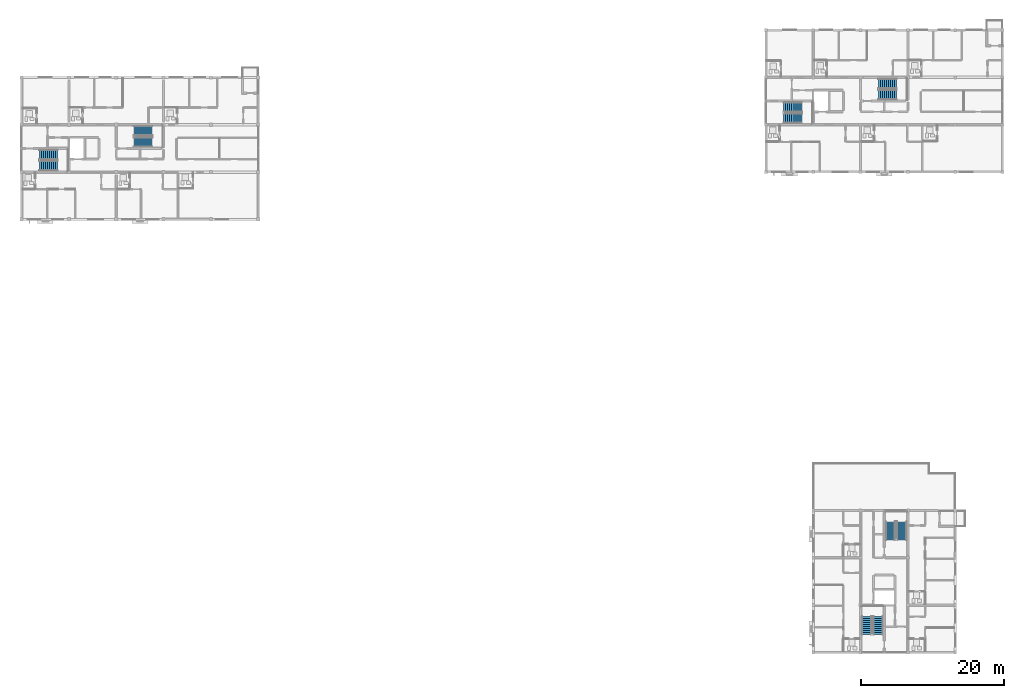
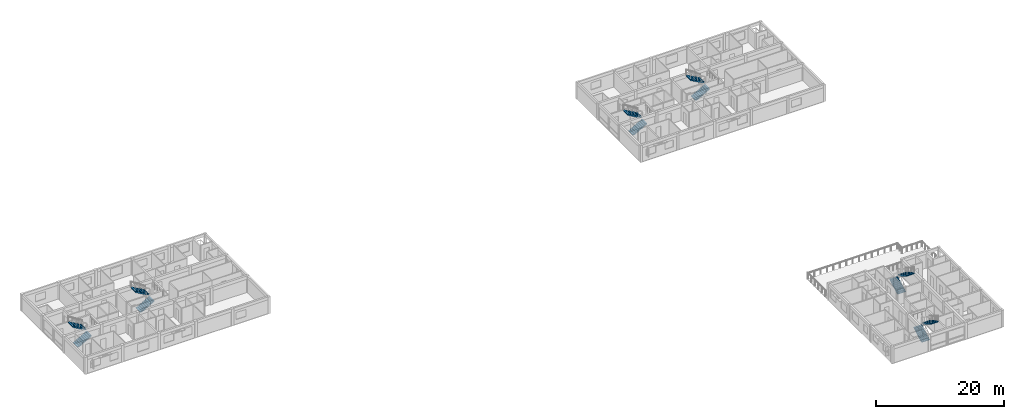
# One storey, part 28 of 37: 12 stair flights, 6 elements without a shape of their own.
"""IFC4 building model written with IfcOpenShell, lengths in metres."""

from ifc_helpers import new_model, si_unit, direction, frame, origin, place, context, subcontext, project, spatial, polyline, outline, extrude, material, type_object, element, aggregate, save


model = new_model("IFC4")

# Units and contexts
model_context = context("Model", 3, precision=1e-05, world=origin(), true_north=direction((0.0, 1.0)))
body_context = subcontext(model_context, "Body", "Model", "MODEL_VIEW")
ifc_project = project(units=[si_unit("LENGTHUNIT", "METRE"), si_unit("AREAUNIT", "SQUARE_METRE"), si_unit("VOLUMEUNIT", "CUBIC_METRE"), si_unit("PLANEANGLEUNIT", "RADIAN"), si_unit("MASSUNIT", "GRAM", prefix="KILO")], contexts=[model_context])

# Site, building, storey
site_placement = place(None, origin())
site = spatial("IfcSite", under=ifc_project, at=site_placement, CompositionType="ELEMENT")
building_placement = place(site_placement, origin())
building = spatial("IfcBuilding", under=site, at=building_placement, Name="Kernevlak Ridge Housing Community", CompositionType="ELEMENT")
storey_placement = place(building_placement, frame((0.0, 0.0, 37.199951171875)))
storey = spatial("IfcBuildingStorey", under=building, at=storey_placement, Name="L11", CompositionType="ELEMENT", Elevation=37.199951171875)

# Stair, stair flights
ifc_material = material(Name="Concrete C35/45", Category="concrete")
stair_type_1 = type_object("IfcStairType", Name="SR-01", PredefinedType="HALF_TURN_STAIR", material=ifc_material)
stair_1_placement = place(storey_placement, origin())
stair_1 = element("IfcStair", 1, at=stair_1_placement, inside=storey, type_object=stair_type_1, Name="Stair ST-B1 L11", PredefinedType="HALF_TURN_STAIR")
stair_flight_type_1 = type_object("IfcStairFlightType", Name="SF-01", PredefinedType="STRAIGHT", material=ifc_material)
stair_flight_1_placement = place(storey_placement, frame((121.8798828125, 90.06005859375, 0.0), z_axis=(0.0, 0.0, 1.0), x_axis=(1.0, 0.0, 0.0)))
stair_flight_1 = element("IfcStairFlight", 2, at=stair_flight_1_placement, type_object=stair_flight_type_1, Name="SR-01 flight 1", NumberOfRisers=10, NumberOfTreads=9, PredefinedType="STRAIGHT", RiserHeight=0.16, TreadLength=0.28, context=body_context, shape_type="SweptSolid", body=[
    extrude(outline(polyline([(0.0, 0.0), (0.0, 0.159912109375), (0.280029296875, 0.159912109375), (0.280029296875, 0.320068359375), (0.56005859375, 0.320068359375), (0.56005859375, 0.47998046875), (0.840087890625, 0.47998046875), (0.840087890625, 0.639892578125), (1.1201171875, 0.639892578125), (1.1201171875, 0.800048828125), (1.39990234375, 0.800048828125), (1.39990234375, 0.9599609375), (1.679931640625, 0.9599609375), (1.679931640625, 1.1201171875), (1.9599609375, 1.1201171875), (1.9599609375, 1.280029296875), (2.239990234375, 1.280029296875), (2.239990234375, 1.43994140625), (2.52001953125, 1.43994140625), (2.52001953125, 1.60009765625), (2.52001953125, 1.244384765625), (0.342529296875, 0.0), (0.0, 0.0)])), frame((0.0, 0.699951171875, 0.0), z_axis=(0.0, -1.0, 0.0), x_axis=(1.0, 0.0, 0.0)), (0.0, 0.0, 1.0), 1.39990234375),
])
stair_flight_2_placement = place(storey_placement, frame((124.39990234375, 91.639892578125, 1.60009765625), z_axis=(0.0, 0.0, 1.0), x_axis=(-1.0, 0.0, 0.0)))
stair_flight_2 = element("IfcStairFlight", 3, at=stair_flight_2_placement, type_object=stair_flight_type_1, Name="SR-01 flight 2", NumberOfRisers=10, NumberOfTreads=9, PredefinedType="STRAIGHT", RiserHeight=0.16, TreadLength=0.28, context=body_context, shape_type="SweptSolid", body=[
    extrude(outline(polyline([(0.0, 0.0), (0.0, 0.159912109375), (0.280029296875, 0.159912109375), (0.280029296875, 0.320068359375), (0.56005859375, 0.320068359375), (0.56005859375, 0.47998046875), (0.840087890625, 0.47998046875), (0.840087890625, 0.639892578125), (1.1201171875, 0.639892578125), (1.1201171875, 0.800048828125), (1.39990234375, 0.800048828125), (1.39990234375, 0.9599609375), (1.679931640625, 0.9599609375), (1.679931640625, 1.1201171875), (1.9599609375, 1.1201171875), (1.9599609375, 1.280029296875), (2.239990234375, 1.280029296875), (2.239990234375, 1.43994140625), (2.52001953125, 1.43994140625), (2.52001953125, 1.60009765625), (2.52001953125, 1.244384765625), (0.342529296875, 0.0), (0.0, 0.0)])), frame((0.0, 0.699951171875, 0.0), z_axis=(0.0, -1.0, 0.0), x_axis=(1.0, 0.0, 0.0)), (0.0, 0.0, 1.0), 1.39990234375),
])
aggregate(stair_1, [stair_flight_1, stair_flight_2])

stair_2_placement = place(storey_placement, origin())
stair_2 = element("IfcStair", 4, at=stair_2_placement, inside=storey, type_object=stair_type_1, Name="Stair ST-B2 L11", PredefinedType="HALF_TURN_STAIR")
stair_flight_3_placement = place(storey_placement, frame((135.080078125, 93.360107421875, 0.0), z_axis=(0.0, 0.0, 1.0), x_axis=(1.0, 0.0, 0.0)))
stair_flight_3 = element("IfcStairFlight", 5, at=stair_flight_3_placement, type_object=stair_flight_type_1, Name="SR-01 flight 1", NumberOfRisers=10, NumberOfTreads=9, PredefinedType="STRAIGHT", RiserHeight=0.16, TreadLength=0.28, context=body_context, shape_type="SweptSolid", body=[
    extrude(outline(polyline([(0.0, 0.0), (0.0, 0.159912109375), (0.280029296875, 0.159912109375), (0.280029296875, 0.320068359375), (0.56005859375, 0.320068359375), (0.56005859375, 0.47998046875), (0.840087890625, 0.47998046875), (0.840087890625, 0.639892578125), (1.1201171875, 0.639892578125), (1.1201171875, 0.800048828125), (1.39990234375, 0.800048828125), (1.39990234375, 0.9599609375), (1.679931640625, 0.9599609375), (1.679931640625, 1.1201171875), (1.9599609375, 1.1201171875), (1.9599609375, 1.280029296875), (2.239990234375, 1.280029296875), (2.239990234375, 1.43994140625), (2.52001953125, 1.43994140625), (2.52001953125, 1.60009765625), (2.52001953125, 1.244384765625), (0.342529296875, 0.0), (0.0, 0.0)])), frame((0.0, 0.699951171875, 0.0), z_axis=(0.0, -1.0, 0.0), x_axis=(1.0, 0.0, 0.0)), (0.0, 0.0, 1.0), 1.39990234375),
])
stair_flight_4_placement = place(storey_placement, frame((137.60009765625, 94.93994140625, 1.60009765625), z_axis=(0.0, 0.0, 1.0), x_axis=(-1.0, 0.0, 0.0)))
stair_flight_4 = element("IfcStairFlight", 6, at=stair_flight_4_placement, type_object=stair_flight_type_1, Name="SR-01 flight 2", NumberOfRisers=10, NumberOfTreads=9, PredefinedType="STRAIGHT", RiserHeight=0.16, TreadLength=0.28, context=body_context, shape_type="SweptSolid", body=[
    extrude(outline(polyline([(0.0, 0.0), (0.0, 0.159912109375), (0.280029296875, 0.159912109375), (0.280029296875, 0.320068359375), (0.56005859375, 0.320068359375), (0.56005859375, 0.47998046875), (0.840087890625, 0.47998046875), (0.840087890625, 0.639892578125), (1.1201171875, 0.639892578125), (1.1201171875, 0.800048828125), (1.39990234375, 0.800048828125), (1.39990234375, 0.9599609375), (1.679931640625, 0.9599609375), (1.679931640625, 1.1201171875), (1.9599609375, 1.1201171875), (1.9599609375, 1.280029296875), (2.239990234375, 1.280029296875), (2.239990234375, 1.43994140625), (2.52001953125, 1.43994140625), (2.52001953125, 1.60009765625), (2.52001953125, 1.244384765625), (0.342529296875, 0.0), (0.0, 0.0)])), frame((0.0, 0.699951171875, 0.0), z_axis=(0.0, -1.0, 0.0), x_axis=(1.0, 0.0, 0.0)), (0.0, 0.0, 1.0), 1.39990234375),
])
aggregate(stair_2, [stair_flight_3, stair_flight_4])

stair_type_2 = type_object("IfcStairType", Name="SR-06", PredefinedType="HALF_TURN_STAIR", material=ifc_material)
stair_3_placement = place(storey_placement, origin())
stair_3 = element("IfcStair", 7, at=stair_3_placement, inside=storey, type_object=stair_type_2, Name="Stair ST-A1 L11", PredefinedType="HALF_TURN_STAIR")
stair_flight_type_2 = type_object("IfcStairFlightType", Name="SF-06", PredefinedType="STRAIGHT", material=ifc_material)
stair_flight_5_placement = place(storey_placement, frame((18.080078125, 83.4599609375, 0.0), z_axis=(0.0, 0.0, 1.0), x_axis=(1.0, 0.0, 0.0)))
stair_flight_5 = element("IfcStairFlight", 8, at=stair_flight_5_placement, type_object=stair_flight_type_2, Name="SR-06 flight 1", NumberOfRisers=10, NumberOfTreads=9, PredefinedType="STRAIGHT", RiserHeight=0.16, TreadLength=0.28, context=body_context, shape_type="SweptSolid", body=[
    extrude(outline(polyline([(0.0, 0.0), (0.0, 0.159912109375), (0.280029296875, 0.159912109375), (0.280029296875, 0.320068359375), (0.56005859375, 0.320068359375), (0.56005859375, 0.47998046875), (0.840087890625, 0.47998046875), (0.840087890625, 0.639892578125), (1.1201171875, 0.639892578125), (1.1201171875, 0.800048828125), (1.39990234375, 0.800048828125), (1.39990234375, 0.9599609375), (1.679931640625, 0.9599609375), (1.679931640625, 1.1201171875), (1.9599609375, 1.1201171875), (1.9599609375, 1.280029296875), (2.239990234375, 1.280029296875), (2.239990234375, 1.43994140625), (2.52001953125, 1.43994140625), (2.52001953125, 1.60009765625), (2.52001953125, 1.244384765625), (0.342529296875, 0.0), (0.0, 0.0)])), frame((0.0, 0.719970703125, 0.0), z_axis=(0.0, -1.0, 0.0), x_axis=(1.0, 0.0, 0.0)), (0.0, 0.0, 1.0), 1.43994140625),
])
stair_flight_6_placement = place(storey_placement, frame((20.60009765625, 85.0400390625, 1.60009765625), z_axis=(0.0, 0.0, 1.0), x_axis=(-1.0, 0.0, 0.0)))
stair_flight_6 = element("IfcStairFlight", 9, at=stair_flight_6_placement, type_object=stair_flight_type_2, Name="SR-06 flight 2", NumberOfRisers=10, NumberOfTreads=9, PredefinedType="STRAIGHT", RiserHeight=0.16, TreadLength=0.28, context=body_context, shape_type="SweptSolid", body=[
    extrude(outline(polyline([(0.0, 0.0), (0.0, 0.159912109375), (0.280029296875, 0.159912109375), (0.280029296875, 0.320068359375), (0.56005859375, 0.320068359375), (0.56005859375, 0.47998046875), (0.840087890625, 0.47998046875), (0.840087890625, 0.639892578125), (1.1201171875, 0.639892578125), (1.1201171875, 0.800048828125), (1.39990234375, 0.800048828125), (1.39990234375, 0.9599609375), (1.679931640625, 0.9599609375), (1.679931640625, 1.1201171875), (1.9599609375, 1.1201171875), (1.9599609375, 1.280029296875), (2.239990234375, 1.280029296875), (2.239990234375, 1.43994140625), (2.52001953125, 1.43994140625), (2.52001953125, 1.60009765625), (2.52001953125, 1.244384765625), (0.342529296875, 0.0), (0.0, 0.0)])), frame((0.0, 0.719970703125, 0.0), z_axis=(0.0, -1.0, 0.0), x_axis=(1.0, 0.0, 0.0)), (0.0, 0.0, 1.0), 1.43994140625),
])
aggregate(stair_3, [stair_flight_5, stair_flight_6])

stair_4_placement = place(storey_placement, origin())
stair_4 = element("IfcStair", 10, at=stair_4_placement, inside=storey, type_object=stair_type_2, Name="Stair ST-A2 L11", PredefinedType="HALF_TURN_STAIR")
stair_flight_7_placement = place(storey_placement, frame((31.280029296875, 86.760009765625, 0.0), z_axis=(0.0, 0.0, 1.0), x_axis=(1.0, 0.0, 0.0)))
stair_flight_7 = element("IfcStairFlight", 11, at=stair_flight_7_placement, type_object=stair_flight_type_2, Name="SR-06 flight 1", NumberOfRisers=10, NumberOfTreads=9, PredefinedType="STRAIGHT", RiserHeight=0.16, TreadLength=0.28, context=body_context, shape_type="SweptSolid", body=[
    extrude(outline(polyline([(0.0, 0.0), (0.0, 0.159912109375), (0.280029296875, 0.159912109375), (0.280029296875, 0.320068359375), (0.56005859375, 0.320068359375), (0.56005859375, 0.47998046875), (0.840087890625, 0.47998046875), (0.840087890625, 0.639892578125), (1.1201171875, 0.639892578125), (1.1201171875, 0.800048828125), (1.39990234375, 0.800048828125), (1.39990234375, 0.9599609375), (1.679931640625, 0.9599609375), (1.679931640625, 1.1201171875), (1.9599609375, 1.1201171875), (1.9599609375, 1.280029296875), (2.239990234375, 1.280029296875), (2.239990234375, 1.43994140625), (2.52001953125, 1.43994140625), (2.52001953125, 1.60009765625), (2.52001953125, 1.244384765625), (0.342529296875, 0.0), (0.0, 0.0)])), frame((0.0, 0.719970703125, 0.0), z_axis=(0.0, -1.0, 0.0), x_axis=(1.0, 0.0, 0.0)), (0.0, 0.0, 1.0), 1.43994140625),
])
stair_flight_8_placement = place(storey_placement, frame((33.800048828125, 88.340087890625, 1.60009765625), z_axis=(0.0, 0.0, 1.0), x_axis=(-1.0, 0.0, 0.0)))
stair_flight_8 = element("IfcStairFlight", 12, at=stair_flight_8_placement, type_object=stair_flight_type_2, Name="SR-06 flight 2", NumberOfRisers=10, NumberOfTreads=9, PredefinedType="STRAIGHT", RiserHeight=0.16, TreadLength=0.28, context=body_context, shape_type="SweptSolid", body=[
    extrude(outline(polyline([(0.0, 0.0), (0.0, 0.159912109375), (0.280029296875, 0.159912109375), (0.280029296875, 0.320068359375), (0.56005859375, 0.320068359375), (0.56005859375, 0.47998046875), (0.840087890625, 0.47998046875), (0.840087890625, 0.639892578125), (1.1201171875, 0.639892578125), (1.1201171875, 0.800048828125), (1.39990234375, 0.800048828125), (1.39990234375, 0.9599609375), (1.679931640625, 0.9599609375), (1.679931640625, 1.1201171875), (1.9599609375, 1.1201171875), (1.9599609375, 1.280029296875), (2.239990234375, 1.280029296875), (2.239990234375, 1.43994140625), (2.52001953125, 1.43994140625), (2.52001953125, 1.60009765625), (2.52001953125, 1.244384765625), (0.342529296875, 0.0), (0.0, 0.0)])), frame((0.0, 0.719970703125, 0.0), z_axis=(0.0, -1.0, 0.0), x_axis=(1.0, 0.0, 0.0)), (0.0, 0.0, 1.0), 1.43994140625),
])
aggregate(stair_4, [stair_flight_7, stair_flight_8])

stair_5_placement = place(storey_placement, origin())
stair_5 = element("IfcStair", 13, at=stair_5_placement, inside=storey, type_object=stair_type_2, Name="Stair ST-C1 L11", PredefinedType="HALF_TURN_STAIR")
stair_flight_9_placement = place(storey_placement, frame((133.4599609375, 18.080078125, 0.0), z_axis=(0.0, 0.0, 1.0), x_axis=(0.0, 1.0, 0.0)))
stair_flight_9 = element("IfcStairFlight", 14, at=stair_flight_9_placement, type_object=stair_flight_type_2, Name="SR-06 flight 1", NumberOfRisers=10, NumberOfTreads=9, PredefinedType="STRAIGHT", RiserHeight=0.16, TreadLength=0.28, context=body_context, shape_type="SweptSolid", body=[
    extrude(outline(polyline([(0.0, 0.0), (0.0, 0.159912109375), (0.280029296875, 0.159912109375), (0.280029296875, 0.320068359375), (0.56005859375, 0.320068359375), (0.56005859375, 0.47998046875), (0.840087890625, 0.47998046875), (0.840087890625, 0.639892578125), (1.1201171875, 0.639892578125), (1.1201171875, 0.800048828125), (1.39990234375, 0.800048828125), (1.39990234375, 0.9599609375), (1.679931640625, 0.9599609375), (1.679931640625, 1.1201171875), (1.9599609375, 1.1201171875), (1.9599609375, 1.280029296875), (2.239990234375, 1.280029296875), (2.239990234375, 1.43994140625), (2.52001953125, 1.43994140625), (2.52001953125, 1.60009765625), (2.52001953125, 1.244384765625), (0.342529296875, 0.0), (0.0, 0.0)])), frame((0.0, 0.719970703125, 0.0), z_axis=(0.0, -1.0, 0.0), x_axis=(1.0, 0.0, 0.0)), (0.0, 0.0, 1.0), 1.43994140625),
])
stair_flight_10_placement = place(storey_placement, frame((135.0400390625, 20.60009765625, 1.60009765625), z_axis=(0.0, 0.0, 1.0), x_axis=(0.0, -1.0, 0.0)))
stair_flight_10 = element("IfcStairFlight", 15, at=stair_flight_10_placement, type_object=stair_flight_type_2, Name="SR-06 flight 2", NumberOfRisers=10, NumberOfTreads=9, PredefinedType="STRAIGHT", RiserHeight=0.16, TreadLength=0.28, context=body_context, shape_type="SweptSolid", body=[
    extrude(outline(polyline([(0.0, 0.0), (0.0, 0.159912109375), (0.280029296875, 0.159912109375), (0.280029296875, 0.320068359375), (0.56005859375, 0.320068359375), (0.56005859375, 0.47998046875), (0.840087890625, 0.47998046875), (0.840087890625, 0.639892578125), (1.1201171875, 0.639892578125), (1.1201171875, 0.800048828125), (1.39990234375, 0.800048828125), (1.39990234375, 0.9599609375), (1.679931640625, 0.9599609375), (1.679931640625, 1.1201171875), (1.9599609375, 1.1201171875), (1.9599609375, 1.280029296875), (2.239990234375, 1.280029296875), (2.239990234375, 1.43994140625), (2.52001953125, 1.43994140625), (2.52001953125, 1.60009765625), (2.52001953125, 1.244384765625), (0.342529296875, 0.0), (0.0, 0.0)])), frame((0.0, 0.719970703125, 0.0), z_axis=(0.0, -1.0, 0.0), x_axis=(1.0, 0.0, 0.0)), (0.0, 0.0, 1.0), 1.43994140625),
])
aggregate(stair_5, [stair_flight_9, stair_flight_10])

stair_6_placement = place(storey_placement, origin())
stair_6 = element("IfcStair", 16, at=stair_6_placement, inside=storey, type_object=stair_type_2, Name="Stair ST-C2 L11", PredefinedType="HALF_TURN_STAIR")
stair_flight_11_placement = place(storey_placement, frame((136.760009765625, 31.280029296875, 0.0), z_axis=(0.0, 0.0, 1.0), x_axis=(0.0, 1.0, 0.0)))
stair_flight_11 = element("IfcStairFlight", 17, at=stair_flight_11_placement, type_object=stair_flight_type_2, Name="SR-06 flight 1", NumberOfRisers=10, NumberOfTreads=9, PredefinedType="STRAIGHT", RiserHeight=0.16, TreadLength=0.28, context=body_context, shape_type="SweptSolid", body=[
    extrude(outline(polyline([(0.0, 0.0), (0.0, 0.159912109375), (0.280029296875, 0.159912109375), (0.280029296875, 0.320068359375), (0.56005859375, 0.320068359375), (0.56005859375, 0.47998046875), (0.840087890625, 0.47998046875), (0.840087890625, 0.639892578125), (1.1201171875, 0.639892578125), (1.1201171875, 0.800048828125), (1.39990234375, 0.800048828125), (1.39990234375, 0.9599609375), (1.679931640625, 0.9599609375), (1.679931640625, 1.1201171875), (1.9599609375, 1.1201171875), (1.9599609375, 1.280029296875), (2.239990234375, 1.280029296875), (2.239990234375, 1.43994140625), (2.52001953125, 1.43994140625), (2.52001953125, 1.60009765625), (2.52001953125, 1.244384765625), (0.342529296875, 0.0), (0.0, 0.0)])), frame((0.0, 0.719970703125, 0.0), z_axis=(0.0, -1.0, 0.0), x_axis=(1.0, 0.0, 0.0)), (0.0, 0.0, 1.0), 1.43994140625),
])
stair_flight_12_placement = place(storey_placement, frame((138.340087890625, 33.800048828125, 1.60009765625), z_axis=(0.0, 0.0, 1.0), x_axis=(0.0, -1.0, 0.0)))
stair_flight_12 = element("IfcStairFlight", 18, at=stair_flight_12_placement, type_object=stair_flight_type_2, Name="SR-06 flight 2", NumberOfRisers=10, NumberOfTreads=9, PredefinedType="STRAIGHT", RiserHeight=0.16, TreadLength=0.28, context=body_context, shape_type="SweptSolid", body=[
    extrude(outline(polyline([(0.0, 0.0), (0.0, 0.159912109375), (0.280029296875, 0.159912109375), (0.280029296875, 0.320068359375), (0.56005859375, 0.320068359375), (0.56005859375, 0.47998046875), (0.840087890625, 0.47998046875), (0.840087890625, 0.639892578125), (1.1201171875, 0.639892578125), (1.1201171875, 0.800048828125), (1.39990234375, 0.800048828125), (1.39990234375, 0.9599609375), (1.679931640625, 0.9599609375), (1.679931640625, 1.1201171875), (1.9599609375, 1.1201171875), (1.9599609375, 1.280029296875), (2.239990234375, 1.280029296875), (2.239990234375, 1.43994140625), (2.52001953125, 1.43994140625), (2.52001953125, 1.60009765625), (2.52001953125, 1.244384765625), (0.342529296875, 0.0), (0.0, 0.0)])), frame((0.0, 0.719970703125, 0.0), z_axis=(0.0, -1.0, 0.0), x_axis=(1.0, 0.0, 0.0)), (0.0, 0.0, 1.0), 1.43994140625),
])
aggregate(stair_6, [stair_flight_11, stair_flight_12])

save(model, "model.ifc")
